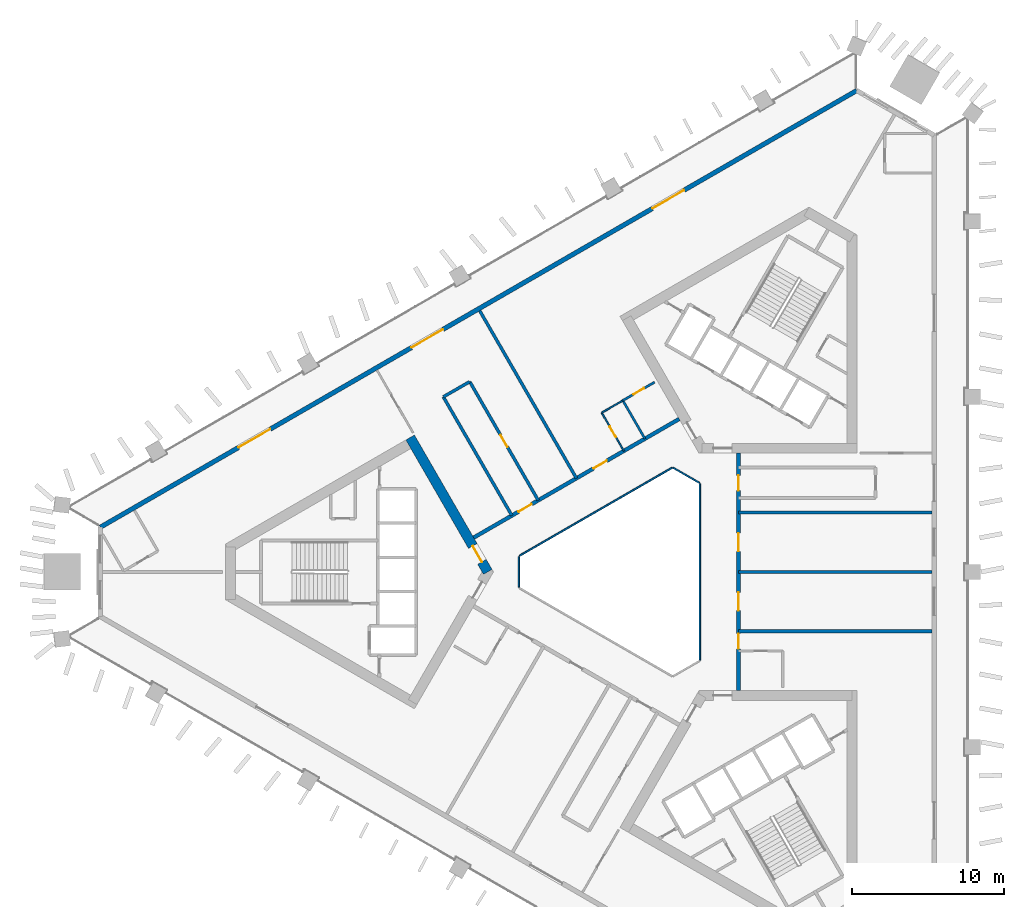
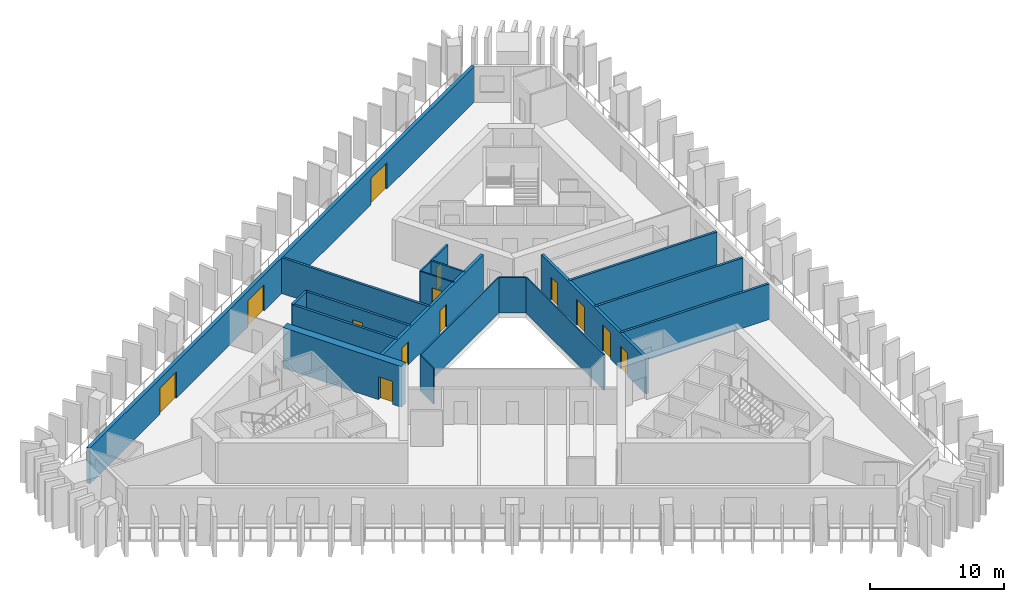
# One storey, part 4 of 10: 19 walls, 13 doors, 13 openings.
"""IFC4 building model written with IfcOpenShell, lengths in metres."""

from ifc_helpers import new_model, si_unit, direction, frame, frame_2d, origin, place, context, subcontext, project, spatial, rectangle, extrude, material, layer, layer_set, type_object, element, fill, save


model = new_model("IFC4")

# Units and contexts
model_context = context("Model", 3, precision=1e-05, world=origin(), true_north=direction((0.0, 1.0)))
body_context = subcontext(model_context, "Body", "Model", "MODEL_VIEW")
ifc_project = project(units=[si_unit("LENGTHUNIT", "METRE"), si_unit("AREAUNIT", "SQUARE_METRE"), si_unit("VOLUMEUNIT", "CUBIC_METRE"), si_unit("PLANEANGLEUNIT", "RADIAN"), si_unit("MASSUNIT", "GRAM", prefix="KILO")], contexts=[model_context])

# Site, building, storey
site_placement = place(None, origin())
site = spatial("IfcSite", under=ifc_project, at=site_placement, CompositionType="ELEMENT")
building_placement = place(site_placement, origin())
building = spatial("IfcBuilding", under=site, at=building_placement, Name="Jabali Bay Hotel Tower and Convention Centre", CompositionType="ELEMENT")
storey_placement = place(building_placement, frame((0.0, 0.0, 106.800048828125)))
storey = spatial("IfcBuildingStorey", under=building, at=storey_placement, Name="L25", CompositionType="ELEMENT", Elevation=106.800048828125)

# Walls
ifc_material_1 = material(Name="Fire-resistant glazing", Category="glass")
ifc_layer_1 = layer(ifc_material_1, 0.10009765625)
ifc_layer_set_1 = layer_set([ifc_layer_1], Name="Fire-resistant glazing")
wall_type_1 = type_object("IfcWallType", Name="Atrium glazed screen 100", PredefinedType="PARTITIONING", material=ifc_layer_set_1)
wall_1_placement = place(storey_placement, frame((79.56005859375, 74.205810546875, 0.0), z_axis=(0.0, 0.0, 1.0), x_axis=(0.0, 1.0, 0.0)))
element("IfcWall", 1, at=wall_1_placement, inside=storey, type_object=wall_type_1, Name="Atrium screen 1 L25", PredefinedType="PARTITIONING", context=body_context, shape_type="SweptSolid", body=[
    extrude(rectangle(XDim=11.58837890625, YDim=0.10009765625, at=frame_2d((5.794189453125, 0.0))), origin(), (0.0, 0.0, 1.0), 3.25),
])
wall_2_placement = place(storey_placement, frame((79.530029296875, 85.84619140625, 0.0), z_axis=(0.0, 0.0, 1.0), x_axis=(-0.866041268327, 0.499972520799, 0.0)))
element("IfcWall", 2, at=wall_2_placement, inside=storey, type_object=wall_type_1, Name="Atrium screen 2 L25", PredefinedType="PARTITIONING", context=body_context, shape_type="SweptSolid", body=[
    extrude(rectangle(XDim=2.0, YDim=0.10009765625, at=frame_2d((1.0, 0.0))), origin(), (0.0, 0.0, 1.0), 3.25),
])
wall_3_placement = place(storey_placement, frame((77.738037109375, 86.84619140625, 0.0), z_axis=(0.0, 0.0, 1.0), x_axis=(-0.866026658274, -0.499997827154, 0.0)))
element("IfcWall", 3, at=wall_3_placement, inside=storey, type_object=wall_type_1, Name="Atrium screen 3 L25", PredefinedType="PARTITIONING", context=body_context, shape_type="SweptSolid", body=[
    extrude(rectangle(XDim=11.58837890625, YDim=0.10009765625, at=frame_2d((5.794189453125, 0.0))), origin(), (0.0, 0.0, 1.0), 3.25),
])
wall_4_placement = place(storey_placement, frame((67.672119140625, 81.0, 0.0), z_axis=(0.0, 0.0, 1.0), x_axis=(0.0, -1.0, 0.0)))
element("IfcWall", 4, at=wall_4_placement, inside=storey, type_object=wall_type_1, Name="Atrium screen 4 L25", PredefinedType="PARTITIONING", context=body_context, shape_type="SweptSolid", body=[
    extrude(rectangle(XDim=2.0, YDim=0.10009765625, at=frame_2d((1.0, 0.0))), origin(), (0.0, 0.0, 1.0), 3.25),
])

# Wall, opening, door
ifc_material_2 = material(Name="Concrete C60", Category="concrete")
ifc_layer_2 = layer(ifc_material_2, 0.64990234375)
ifc_layer_set_2 = layer_set([ifc_layer_2], Name="Concrete C60")
wall_type_2 = type_object("IfcWallType", Name="Core wall 650", PredefinedType="SHEAR", material=ifc_layer_set_2)
wall_5_placement = place(storey_placement, frame((65.624755859375, 80.0, 0.0), z_axis=(0.0, 0.0, 1.0), x_axis=(-0.49999822179, 0.866026430432, 0.0)))
wall_5 = element("IfcWall", 5, at=wall_5_placement, inside=storey, type_object=wall_type_2, Name="Core wall 1.1 L25", PredefinedType="SHEAR", context=body_context, shape_type="SweptSolid", body=[
    extrude(rectangle(XDim=10.1923828125, YDim=0.64990234375, at=frame_2d((5.09619140625, 0.0))), origin(), (0.0, 0.0, 1.0), 3.699951171875),
])
opening_1_placement = place(wall_5_placement, frame((0.762451171875, 0.0, 0.0)))
opening_1 = element("IfcOpeningElement", 6, at=opening_1_placement, cuts=wall_5, Name="Opening D564", PredefinedType="OPENING", context=body_context, shape_type="SweptSolid", body=[
    extrude(rectangle(XDim=1.199951171875, YDim=2.10009765625, at=frame_2d((0.60009765625, 1.050048828125))), frame((0.0, 0.33544921875, 0.0), z_axis=(0.0, -1.0, 0.0), x_axis=(1.0, 0.0, 0.0)), (0.0, 0.0, 1.0), 0.6708984375),
])
ifc_material_3 = material(Name="Fire-rated steel door", Category="steel")
door_type_1 = type_object("IfcDoorType", Name="Corridor end fire door 1200 x 2100", OperationType="NOTDEFINED", PredefinedType="NOTDEFINED", material=ifc_material_3)
door_1_placement = place(opening_1_placement, origin())
door_1 = element("IfcDoor", 7, at=door_1_placement, inside=storey, type_object=door_type_1, Name="Corridor end fire door D564", OperationType="SINGLE_SWING_RIGHT", OverallHeight=2.10009765625, OverallWidth=1.199951171875, PredefinedType="NOTDEFINED", context=body_context, shape_type="SweptSolid", body=[
    extrude(rectangle(XDim=1.199951171875, YDim=2.10009765625, at=frame_2d((0.60009765625, 1.050048828125))), frame((0.0, 0.02490234375, 0.0), z_axis=(0.0, -1.0, 0.0), x_axis=(1.0, 0.0, 0.0)), (0.0, 0.0, 1.0), 0.050048828125),
])
fill(opening_1, door_1)

# Wall, openings, doors
ifc_layer_3 = layer(ifc_material_2, 0.25)
ifc_layer_set_3 = layer_set([ifc_layer_3], Name="Concrete C60")
wall_type_3 = type_object("IfcWallType", Name="Corridor wall 250", PredefinedType="SHEAR", material=ifc_layer_set_3)
wall_6_placement = place(storey_placement, frame((82.10009765625, 72.205810546875, 0.0), z_axis=(0.0, 0.0, 1.0), x_axis=(0.0, 1.0, 0.0)))
wall_6 = element("IfcWall", 8, at=wall_6_placement, inside=storey, type_object=wall_type_3, Name="Corridor wall 1 L25", PredefinedType="SHEAR", context=body_context, shape_type="SweptSolid", body=[
    extrude(rectangle(XDim=15.58837890625, YDim=0.25, at=frame_2d((7.794189453125, 0.0))), origin(), (0.0, 0.0, 1.0), 3.25),
])
opening_2_placement = place(wall_6_placement, frame((2.7470703125, 0.0, 0.0)))
opening_2 = element("IfcOpeningElement", 9, at=opening_2_placement, cuts=wall_6, Name="Opening 2502", PredefinedType="OPENING", context=body_context, shape_type="SweptSolid", body=[
    extrude(rectangle(XDim=1.0, YDim=2.10009765625, at=frame_2d((0.5, 1.050048828125))), frame((0.0, 0.135498046875, 0.0), z_axis=(0.0, -1.0, 0.0), x_axis=(1.0, 0.0, 0.0)), (0.0, 0.0, 1.0), 0.27099609375),
])
opening_3_placement = place(wall_6_placement, frame((5.24560546875, 0.0, 0.0)))
opening_3 = element("IfcOpeningElement", 10, at=opening_3_placement, cuts=wall_6, Name="Opening 2503", PredefinedType="OPENING", context=body_context, shape_type="SweptSolid", body=[
    extrude(rectangle(XDim=1.199951171875, YDim=2.39990234375, at=frame_2d((0.60009765625, 1.199951171875))), frame((0.0, 0.135498046875, 0.0), z_axis=(0.0, -1.0, 0.0), x_axis=(1.0, 0.0, 0.0)), (0.0, 0.0, 1.0), 0.27099609375),
])
opening_4_placement = place(wall_6_placement, frame((9.142822265625, 0.0, 0.0)))
opening_4 = element("IfcOpeningElement", 11, at=opening_4_placement, cuts=wall_6, Name="Opening 2504", PredefinedType="OPENING", context=body_context, shape_type="SweptSolid", body=[
    extrude(rectangle(XDim=1.199951171875, YDim=2.39990234375, at=frame_2d((0.60009765625, 1.199951171875))), frame((0.0, 0.135498046875, 0.0), z_axis=(0.0, -1.0, 0.0), x_axis=(1.0, 0.0, 0.0)), (0.0, 0.0, 1.0), 0.27099609375),
])
opening_5_placement = place(wall_6_placement, frame((13.139892578125, 0.0, 0.0)))
opening_5 = element("IfcOpeningElement", 12, at=opening_5_placement, cuts=wall_6, Name="Opening 2505", PredefinedType="OPENING", context=body_context, shape_type="SweptSolid", body=[
    extrude(rectangle(XDim=1.0, YDim=2.10009765625, at=frame_2d((0.5, 1.050048828125))), frame((0.0, 0.135498046875, 0.0), z_axis=(0.0, -1.0, 0.0), x_axis=(1.0, 0.0, 0.0)), (0.0, 0.0, 1.0), 0.27099609375),
])
ifc_material_4 = material(Name="Timber", Category="wood")
door_type_2 = type_object("IfcDoorType", Name="Guest room door 1000 x 2100", OperationType="NOTDEFINED", PredefinedType="NOTDEFINED", material=ifc_material_4)
door_2_placement = place(opening_2_placement, origin())
door_2 = element("IfcDoor", 13, at=door_2_placement, inside=storey, type_object=door_type_2, Name="Door 2502", OperationType="SINGLE_SWING_LEFT", OverallHeight=2.10009765625, OverallWidth=1.0, PredefinedType="NOTDEFINED", context=body_context, shape_type="SweptSolid", body=[
    extrude(rectangle(XDim=1.0, YDim=2.10009765625, at=frame_2d((0.5, 1.050048828125))), frame((0.0, 0.02490234375, 0.0), z_axis=(0.0, -1.0, 0.0), x_axis=(1.0, 0.0, 0.0)), (0.0, 0.0, 1.0), 0.050048828125),
])
fill(opening_2, door_2)
door_3_placement = place(opening_5_placement, origin())
door_3 = element("IfcDoor", 14, at=door_3_placement, inside=storey, type_object=door_type_2, Name="Door 2505", OperationType="SINGLE_SWING_RIGHT", OverallHeight=2.10009765625, OverallWidth=1.0, PredefinedType="NOTDEFINED", context=body_context, shape_type="SweptSolid", body=[
    extrude(rectangle(XDim=1.0, YDim=2.10009765625, at=frame_2d((0.5, 1.050048828125))), frame((0.0, 0.02490234375, 0.0), z_axis=(0.0, -1.0, 0.0), x_axis=(1.0, 0.0, 0.0)), (0.0, 0.0, 1.0), 0.050048828125),
])
fill(opening_5, door_3)
door_type_3 = type_object("IfcDoorType", Name="Public room door 1200 x 2400", OperationType="NOTDEFINED", PredefinedType="NOTDEFINED", material=ifc_material_4)
door_4_placement = place(opening_3_placement, origin())
door_4 = element("IfcDoor", 15, at=door_4_placement, inside=storey, type_object=door_type_3, Name="Door 2503", OperationType="SINGLE_SWING_LEFT", OverallHeight=2.39990234375, OverallWidth=1.199951171875, PredefinedType="NOTDEFINED", context=body_context, shape_type="SweptSolid", body=[
    extrude(rectangle(XDim=1.199951171875, YDim=2.39990234375, at=frame_2d((0.60009765625, 1.199951171875))), frame((0.0, 0.02490234375, 0.0), z_axis=(0.0, -1.0, 0.0), x_axis=(1.0, 0.0, 0.0)), (0.0, 0.0, 1.0), 0.050048828125),
])
fill(opening_3, door_4)
door_5_placement = place(opening_4_placement, origin())
door_5 = element("IfcDoor", 16, at=door_5_placement, inside=storey, type_object=door_type_3, Name="Door 2504", OperationType="SINGLE_SWING_RIGHT", OverallHeight=2.39990234375, OverallWidth=1.199951171875, PredefinedType="NOTDEFINED", context=body_context, shape_type="SweptSolid", body=[
    extrude(rectangle(XDim=1.199951171875, YDim=2.39990234375, at=frame_2d((0.60009765625, 1.199951171875))), frame((0.0, 0.02490234375, 0.0), z_axis=(0.0, -1.0, 0.0), x_axis=(1.0, 0.0, 0.0)), (0.0, 0.0, 1.0), 0.050048828125),
])
fill(opening_4, door_5)

wall_7_placement = place(storey_placement, frame((78.199951171875, 90.0458984375, 0.0), z_axis=(0.0, 0.0, 1.0), x_axis=(-0.866026492143, -0.499998114903, 0.0)))
wall_7 = element("IfcWall", 17, at=wall_7_placement, inside=storey, type_object=wall_type_3, Name="Corridor wall 2 L25", PredefinedType="SHEAR", context=body_context, shape_type="SweptSolid", body=[
    extrude(rectangle(XDim=15.58837890625, YDim=0.25, at=frame_2d((7.794189453125, 0.0))), origin(), (0.0, 0.0, 1.0), 3.25),
])
opening_6_placement = place(wall_7_placement, frame((5.4970703125, 0.0, 0.0)))
opening_6 = element("IfcOpeningElement", 18, at=opening_6_placement, cuts=wall_7, Name="Opening 2511", PredefinedType="OPENING", context=body_context, shape_type="SweptSolid", body=[
    extrude(rectangle(XDim=1.0, YDim=2.10009765625, at=frame_2d((0.5, 1.050048828125))), frame((0.0, 0.135498046875, 0.0), z_axis=(0.0, -1.0, 0.0), x_axis=(1.0, 0.0, 0.0)), (0.0, 0.0, 1.0), 0.27099609375),
])
opening_7_placement = place(wall_7_placement, frame((11.19140625, 0.0, 0.0)))
opening_7 = element("IfcOpeningElement", 19, at=opening_7_placement, cuts=wall_7, Name="Opening 2512", PredefinedType="OPENING", context=body_context, shape_type="SweptSolid", body=[
    extrude(rectangle(XDim=1.0, YDim=2.10009765625, at=frame_2d((0.5, 1.050048828125))), frame((0.0, 0.135498046875, 0.0), z_axis=(0.0, -1.0, 0.0), x_axis=(1.0, 0.0, 0.0)), (0.0, 0.0, 1.0), 0.27099609375),
])
door_6_placement = place(opening_6_placement, origin())
door_6 = element("IfcDoor", 20, at=door_6_placement, inside=storey, type_object=door_type_2, Name="Door 2511", OperationType="SINGLE_SWING_LEFT", OverallHeight=2.10009765625, OverallWidth=1.0, PredefinedType="NOTDEFINED", context=body_context, shape_type="SweptSolid", body=[
    extrude(rectangle(XDim=1.0, YDim=2.10009765625, at=frame_2d((0.5, 1.050048828125))), frame((0.0, 0.02490234375, 0.0), z_axis=(0.0, -1.0, 0.0), x_axis=(1.0, 0.0, 0.0)), (0.0, 0.0, 1.0), 0.050048828125),
])
fill(opening_6, door_6)
door_7_placement = place(opening_7_placement, origin())
door_7 = element("IfcDoor", 21, at=door_7_placement, inside=storey, type_object=door_type_2, Name="Door 2512", OperationType="SINGLE_SWING_RIGHT", OverallHeight=2.10009765625, OverallWidth=1.0, PredefinedType="NOTDEFINED", context=body_context, shape_type="SweptSolid", body=[
    extrude(rectangle(XDim=1.0, YDim=2.10009765625, at=frame_2d((0.5, 1.050048828125))), frame((0.0, 0.02490234375, 0.0), z_axis=(0.0, -1.0, 0.0), x_axis=(1.0, 0.0, 0.0)), (0.0, 0.0, 1.0), 0.050048828125),
])
fill(opening_7, door_7)

ifc_material_5 = material(Name="Concrete C40", Category="concrete")
ifc_layer_4 = layer(ifc_material_5, 0.300048828125)
ifc_layer_set_4 = layer_set([ifc_layer_4], Name="Concrete C40")
wall_type_4 = type_object("IfcWallType", Name="External wall 300", PredefinedType="SOLIDWALL", material=ifc_layer_set_4)
wall_8_placement = place(storey_placement, frame((40.1845703125, 82.93505859375, 0.0), z_axis=(0.0, 0.0, 1.0), x_axis=(0.866025206658, 0.500000341433, 0.0)))
wall_8 = element("IfcWall", 22, at=wall_8_placement, inside=storey, type_object=wall_type_4, Name="External wall north-west face L25", PredefinedType="SOLIDWALL", context=body_context, shape_type="SweptSolid", body=[
    extrude(rectangle(XDim=57.3671875, YDim=0.300048828125, at=frame_2d((28.68359375, 0.0))), origin(), (0.0, 0.0, 1.0), 3.25),
])
opening_8_placement = place(wall_8_placement, frame((23.58642578125, 0.0, 0.0)))
opening_8 = element("IfcOpeningElement", 23, at=opening_8_placement, cuts=wall_8, Name="Opening SD1", PredefinedType="OPENING", context=body_context, shape_type="SweptSolid", body=[
    extrude(rectangle(XDim=2.39990234375, YDim=2.39990234375, at=frame_2d((1.199951171875, 1.199951171875))), frame((0.0, 0.16064453125, 0.0), z_axis=(0.0, -1.0, 0.0), x_axis=(1.0, 0.0, 0.0)), (0.0, 0.0, 1.0), 0.321044921875),
])
opening_9_placement = place(wall_8_placement, frame((10.480224609375, 0.0, 0.0)))
opening_9 = element("IfcOpeningElement", 24, at=opening_9_placement, cuts=wall_8, Name="Opening SD1", PredefinedType="OPENING", context=body_context, shape_type="SweptSolid", body=[
    extrude(rectangle(XDim=2.39990234375, YDim=2.39990234375, at=frame_2d((1.199951171875, 1.199951171875))), frame((0.0, 0.16064453125, 0.0), z_axis=(0.0, -1.0, 0.0), x_axis=(1.0, 0.0, 0.0)), (0.0, 0.0, 1.0), 0.321044921875),
])
opening_10_placement = place(wall_8_placement, frame((41.86865234375, 0.0, 0.0)))
opening_10 = element("IfcOpeningElement", 25, at=opening_10_placement, cuts=wall_8, Name="Opening SD1", PredefinedType="OPENING", context=body_context, shape_type="SweptSolid", body=[
    extrude(rectangle(XDim=2.39990234375, YDim=2.39990234375, at=frame_2d((1.199951171875, 1.199951171875))), frame((0.0, 0.16064453125, 0.0), z_axis=(0.0, -1.0, 0.0), x_axis=(1.0, 0.0, 0.0)), (0.0, 0.0, 1.0), 0.321044921875),
])
ifc_material_6 = material(Name="Glass", Category="glass")
door_type_4 = type_object("IfcDoorType", Name="Loggia sliding door 2400 x 2400", OperationType="NOTDEFINED", PredefinedType="NOTDEFINED", material=ifc_material_6)
door_8_placement = place(opening_8_placement, origin())
door_8 = element("IfcDoor", 26, at=door_8_placement, inside=storey, type_object=door_type_4, Name="Loggia sliding door 2505", OperationType="SLIDING_TO_LEFT", OverallHeight=2.39990234375, OverallWidth=2.39990234375, PredefinedType="NOTDEFINED", context=body_context, shape_type="SweptSolid", body=[
    extrude(rectangle(XDim=2.39990234375, YDim=2.39990234375, at=frame_2d((1.199951171875, 1.199951171875))), frame((0.0, 0.02490234375, 0.0), z_axis=(0.0, -1.0, 0.0), x_axis=(1.0, 0.0, 0.0)), (0.0, 0.0, 1.0), 0.050048828125),
])
fill(opening_8, door_8)
door_9_placement = place(opening_9_placement, origin())
door_9 = element("IfcDoor", 27, at=door_9_placement, inside=storey, type_object=door_type_4, Name="Loggia sliding door 2505", OperationType="SLIDING_TO_RIGHT", OverallHeight=2.39990234375, OverallWidth=2.39990234375, PredefinedType="NOTDEFINED", context=body_context, shape_type="SweptSolid", body=[
    extrude(rectangle(XDim=2.39990234375, YDim=2.39990234375, at=frame_2d((1.199951171875, 1.199951171875))), frame((0.0, 0.02490234375, 0.0), z_axis=(0.0, -1.0, 0.0), x_axis=(1.0, 0.0, 0.0)), (0.0, 0.0, 1.0), 0.050048828125),
])
fill(opening_9, door_9)
door_10_placement = place(opening_10_placement, origin())
door_10 = element("IfcDoor", 28, at=door_10_placement, inside=storey, type_object=door_type_4, Name="Loggia sliding door 2504", OperationType="SLIDING_TO_LEFT", OverallHeight=2.39990234375, OverallWidth=2.39990234375, PredefinedType="NOTDEFINED", context=body_context, shape_type="SweptSolid", body=[
    extrude(rectangle(XDim=2.39990234375, YDim=2.39990234375, at=frame_2d((1.199951171875, 1.199951171875))), frame((0.0, 0.02490234375, 0.0), z_axis=(0.0, -1.0, 0.0), x_axis=(1.0, 0.0, 0.0)), (0.0, 0.0, 1.0), 0.050048828125),
])
fill(opening_10, door_10)

# Wall, opening, door
ifc_material_7 = material(Name="Plasterboard on steel stud", Category="steel")
ifc_layer_5 = layer(ifc_material_7, 0.10009765625)
ifc_layer_set_5 = layer_set([ifc_layer_5], Name="Plasterboard on steel stud")
wall_type_5 = type_object("IfcWallType", Name="Partition 100 unit", PredefinedType="PARTITIONING", material=ifc_layer_set_5)
wall_9_placement = place(storey_placement, frame((74.562744140625, 87.94580078125, 0.0), z_axis=(0.0, 0.0, 1.0), x_axis=(-0.499987231761, 0.866032775405, 0.0)))
wall_9 = element("IfcWall", 29, at=wall_9_placement, inside=storey, type_object=wall_type_5, Name="Partition P02 L25 016", PredefinedType="PARTITIONING", context=body_context, shape_type="SweptSolid", body=[
    extrude(rectangle(XDim=2.89990234375, YDim=0.10009765625, at=frame_2d((1.449951171875, 0.0))), origin(), (0.0, 0.0, 1.0), 3.25),
])
opening_11_placement = place(wall_9_placement, frame((1.050048828125, 0.0, 0.0)))
opening_11 = element("IfcOpeningElement", 30, at=opening_11_placement, cuts=wall_9, Name="Opening 2510", PredefinedType="OPENING", context=body_context, shape_type="SweptSolid", body=[
    extrude(rectangle(XDim=0.800048828125, YDim=2.10009765625, at=frame_2d((0.39990234375, 1.050048828125))), frame((0.0, 0.060546875, 0.0), z_axis=(0.0, -1.0, 0.0), x_axis=(1.0, 0.0, 0.0)), (0.0, 0.0, 1.0), 0.12109375),
])
door_type_5 = type_object("IfcDoorType", Name="Dressing room door 800 x 2100", OperationType="NOTDEFINED", PredefinedType="NOTDEFINED", material=ifc_material_4)
door_11_placement = place(opening_11_placement, origin())
door_11 = element("IfcDoor", 31, at=door_11_placement, inside=storey, type_object=door_type_5, Name="Door 2510", OperationType="SINGLE_SWING_RIGHT", OverallHeight=2.10009765625, OverallWidth=0.800048828125, PredefinedType="NOTDEFINED", context=body_context, shape_type="SweptSolid", body=[
    extrude(rectangle(XDim=0.800048828125, YDim=2.10009765625, at=frame_2d((0.39990234375, 1.050048828125))), frame((0.0, 0.02490234375, 0.0), z_axis=(0.0, -1.0, 0.0), x_axis=(1.0, 0.0, 0.0)), (0.0, 0.0, 1.0), 0.050048828125),
])
fill(opening_11, door_11)

# Wall
wall_10_placement = place(storey_placement, frame((73.11279296875, 90.457275390625, 0.0), z_axis=(0.0, 0.0, 1.0), x_axis=(0.865989903783, 0.500061482766, 0.0)))
element("IfcWall", 32, at=wall_10_placement, inside=storey, type_object=wall_type_5, Name="Partition P02 L25 017", PredefinedType="PARTITIONING", context=body_context, shape_type="SweptSolid", body=[
    extrude(rectangle(XDim=1.599853515625, YDim=0.10009765625, at=frame_2d((0.7998046875, 0.0))), origin(), (0.0, 0.0, 1.0), 3.25),
])

# Wall, opening, door
ifc_layer_6 = layer(ifc_material_7, 0.14990234375)
ifc_layer_set_6 = layer_set([ifc_layer_6], Name="Plasterboard on steel stud")
wall_type_6 = type_object("IfcWallType", Name="Partition 150 wet", PredefinedType="PARTITIONING", material=ifc_layer_set_6)
wall_11_placement = place(storey_placement, frame((74.498291015625, 91.25732421875, 0.0), z_axis=(0.0, 0.0, 1.0), x_axis=(0.866038271014, 0.499977712642, 0.0)))
wall_11 = element("IfcWall", 33, at=wall_11_placement, inside=storey, type_object=wall_type_6, Name="Partition P03 L25 015", PredefinedType="PARTITIONING", context=body_context, shape_type="SweptSolid", body=[
    extrude(rectangle(XDim=2.40087890625, YDim=0.14990234375, at=frame_2d((1.200439453125, 0.0))), origin(), (0.0, 0.0, 1.0), 3.25),
])
opening_12_placement = place(wall_11_placement, frame((0.801025390625, 0.0, 0.0)))
opening_12 = element("IfcOpeningElement", 34, at=opening_12_placement, cuts=wall_11, Name="Opening 2509", PredefinedType="OPENING", context=body_context, shape_type="SweptSolid", body=[
    extrude(rectangle(XDim=0.800048828125, YDim=2.10009765625, at=frame_2d((0.39990234375, 1.050048828125))), frame((0.0, 0.08544921875, 0.0), z_axis=(0.0, -1.0, 0.0), x_axis=(1.0, 0.0, 0.0)), (0.0, 0.0, 1.0), 0.1708984375),
])
door_type_6 = type_object("IfcDoorType", Name="En-suite door 800 x 2100", OperationType="NOTDEFINED", PredefinedType="NOTDEFINED", material=ifc_material_4)
door_12_placement = place(opening_12_placement, origin())
door_12 = element("IfcDoor", 35, at=door_12_placement, inside=storey, type_object=door_type_6, Name="Door 2509", OperationType="SINGLE_SWING_LEFT", OverallHeight=2.10009765625, OverallWidth=0.800048828125, PredefinedType="NOTDEFINED", context=body_context, shape_type="SweptSolid", body=[
    extrude(rectangle(XDim=0.800048828125, YDim=2.10009765625, at=frame_2d((0.39990234375, 1.050048828125))), frame((0.0, 0.02490234375, 0.0), z_axis=(0.0, -1.0, 0.0), x_axis=(1.0, 0.0, 0.0)), (0.0, 0.0, 1.0), 0.050048828125),
])
fill(opening_12, door_12)

# Walls
wall_12_placement = place(storey_placement, frame((74.498291015625, 91.25732421875, 0.0), z_axis=(0.0, 0.0, 1.0), x_axis=(0.499987231761, -0.866032775405, 0.0)))
element("IfcWall", 36, at=wall_12_placement, inside=storey, type_object=wall_type_6, Name="Partition P03 L25 019", PredefinedType="PARTITIONING", context=body_context, shape_type="SweptSolid", body=[
    extrude(rectangle(XDim=2.89990234375, YDim=0.14990234375, at=frame_2d((1.449951171875, 0.0))), origin(), (0.0, 0.0, 1.0), 3.25),
])
ifc_layer_7 = layer(ifc_material_7, 0.199951171875)
ifc_layer_set_7 = layer_set([ifc_layer_7], Name="Plasterboard on steel stud")
wall_type_7 = type_object("IfcWallType", Name="Partition 200 party", PredefinedType="PARTITIONING", material=ifc_layer_set_7)
for number, where, z_axis, x_axis, name in (
    (37, (94.800537109375, 76.102783203125, 0.0), (0.0, 0.0, 1.0), (-1.0, 0.0, 0.0), "Partition P01 L25 003"),
    (38, (94.800537109375, 80.0, 0.0), (0.0, 0.0, 1.0), (-1.0, 0.0, 0.0), "Partition P01 L25 005"),
    (39, (94.800537109375, 83.897216796875, 0.0), (0.0, 0.0, 1.0), (-1.0, 0.0, 0.0), "Partition P01 L25 006"),
    (40, (65.099853515625, 97.147705078125, 0.0), (0.0, 0.0, 1.0), (0.499988692146, -0.866031932279, 0.0), "Partition P01 L25 018"),
):
    element("IfcWall", number, at=place(storey_placement, frame(where, z_axis=z_axis, x_axis=x_axis)), inside=storey, type_object=wall_type_7, Name=name, PredefinedType="PARTITIONING", context=body_context, shape_type="SweptSolid", body=[
        extrude(rectangle(XDim=12.700439453125, YDim=0.199951171875, at=frame_2d((6.35009765625, 0.0))), origin(), (0.0, 0.0, 1.0), 3.25),
    ])
wall_13_placement = place(storey_placement, frame((67.208984375, 83.7001953125, 0.0), z_axis=(0.0, 0.0, 1.0), x_axis=(-0.5000018851, 0.866024315419, 0.0)))
element("IfcWall", 41, at=wall_13_placement, inside=storey, type_object=wall_type_7, Name="Partition P01 L25 021", PredefinedType="PARTITIONING", context=body_context, shape_type="SweptSolid", body=[
    extrude(rectangle(XDim=9.0, YDim=0.199951171875, at=frame_2d((4.5, 0.0))), origin(), (0.0, 0.0, 1.0), 3.25),
])
wall_14_placement = place(storey_placement, frame((62.708984375, 91.494384765625, 0.0), z_axis=(0.0, 0.0, 1.0), x_axis=(0.866010750942, 0.50002537861, 0.0)))
element("IfcWall", 42, at=wall_14_placement, inside=storey, type_object=wall_type_7, Name="Partition P01 L25 022", PredefinedType="PARTITIONING", context=body_context, shape_type="SweptSolid", body=[
    extrude(rectangle(XDim=2.0, YDim=0.199951171875, at=frame_2d((1.0, 0.0))), origin(), (0.0, 0.0, 1.0), 3.25),
])

# Wall, opening, door
wall_15_placement = place(storey_placement, frame((64.44091796875, 92.494384765625, 0.0), z_axis=(0.0, 0.0, 1.0), x_axis=(0.5000018851, -0.866024315419, 0.0)))
wall_15 = element("IfcWall", 43, at=wall_15_placement, inside=storey, type_object=wall_type_7, Name="Partition P01 L25 023", PredefinedType="PARTITIONING", context=body_context, shape_type="SweptSolid", body=[
    extrude(rectangle(XDim=9.0, YDim=0.199951171875, at=frame_2d((4.5, 0.0))), origin(), (0.0, 0.0, 1.0), 3.25),
])
opening_13_placement = place(wall_15_placement, frame((4.050048828125, 0.0, 0.0)))
opening_13 = element("IfcOpeningElement", 44, at=opening_13_placement, cuts=wall_15, Name="Opening 2515", PredefinedType="OPENING", context=body_context, shape_type="SweptSolid", body=[
    extrude(rectangle(XDim=0.89990234375, YDim=2.10009765625, at=frame_2d((0.449951171875, 1.050048828125))), frame((0.0, 0.1103515625, 0.0), z_axis=(0.0, -1.0, 0.0), x_axis=(1.0, 0.0, 0.0)), (0.0, 0.0, 1.0), 0.220947265625),
])
door_type_7 = type_object("IfcDoorType", Name="Internal door 900 x 2100", OperationType="NOTDEFINED", PredefinedType="NOTDEFINED", material=ifc_material_4)
door_13_placement = place(opening_13_placement, origin())
door_13 = element("IfcDoor", 45, at=door_13_placement, inside=storey, type_object=door_type_7, Name="Door 2515", OperationType="SINGLE_SWING_RIGHT", OverallHeight=2.10009765625, OverallWidth=0.89990234375, PredefinedType="NOTDEFINED", context=body_context, shape_type="SweptSolid", body=[
    extrude(rectangle(XDim=0.89990234375, YDim=2.10009765625, at=frame_2d((0.449951171875, 1.050048828125))), frame((0.0, 0.02490234375, 0.0), z_axis=(0.0, -1.0, 0.0), x_axis=(1.0, 0.0, 0.0)), (0.0, 0.0, 1.0), 0.050048828125),
])
fill(opening_13, door_13)

save(model, "model.ifc")
